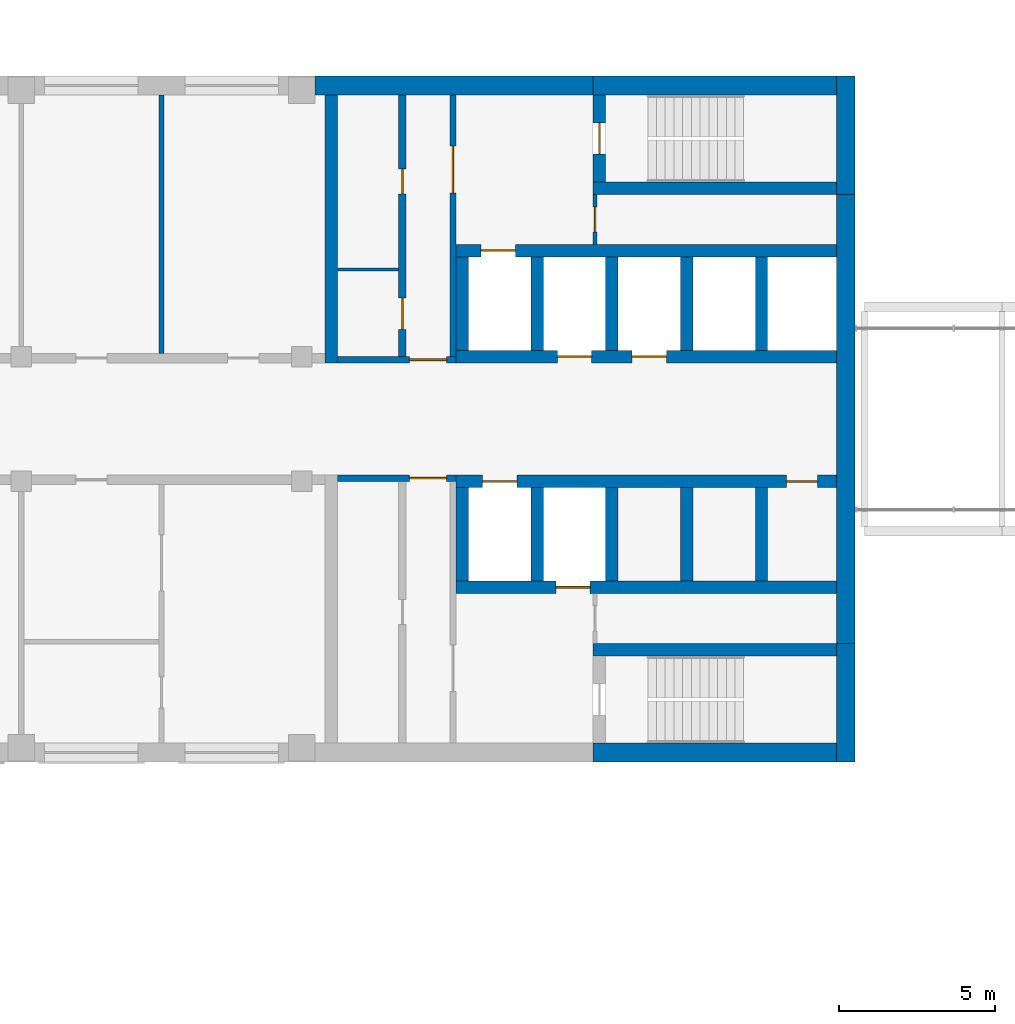
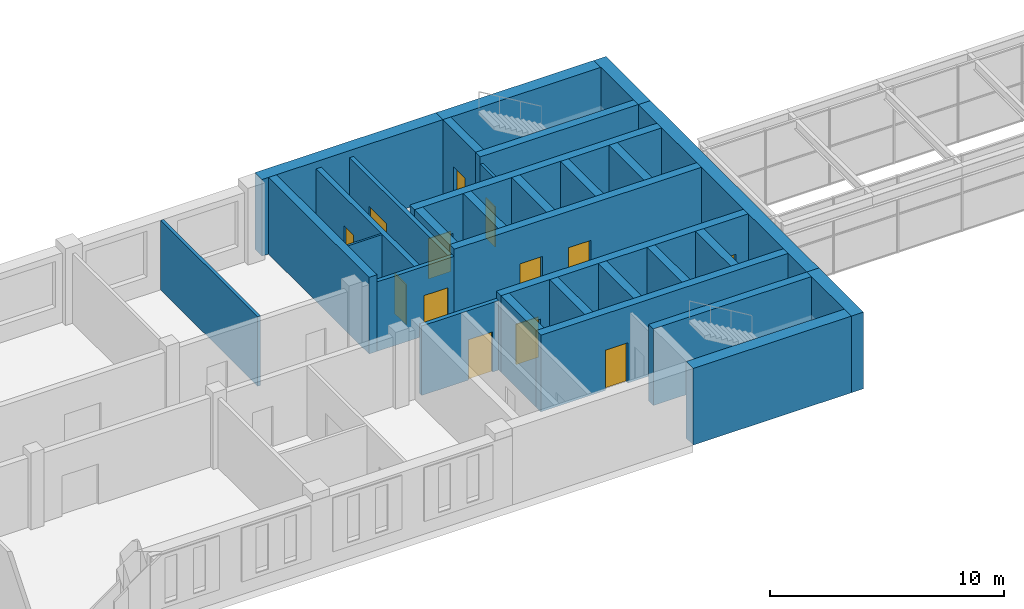
# One storey, part 8 of 12: 31 walls, 13 doors, 13 openings.
"""IFC4 building model written with IfcOpenShell, lengths in metres."""

from ifc_helpers import new_model, si_unit, direction, frame, frame_2d, origin, place, context, subcontext, project, spatial, rectangle, extrude, material, layer, layer_set, type_object, element, fill, save


model = new_model("IFC4")

# Units and contexts
model_context = context("Model", 3, precision=1e-05, world=origin(), true_north=direction((0.0, 1.0)))
body_context = subcontext(model_context, "Body", "Model", "MODEL_VIEW")
ifc_project = project(units=[si_unit("LENGTHUNIT", "METRE"), si_unit("AREAUNIT", "SQUARE_METRE"), si_unit("VOLUMEUNIT", "CUBIC_METRE"), si_unit("PLANEANGLEUNIT", "RADIAN"), si_unit("MASSUNIT", "GRAM", prefix="KILO")], contexts=[model_context])

# Site, building, storey
site_placement = place(None, origin())
site = spatial("IfcSite", under=ifc_project, at=site_placement, CompositionType="ELEMENT")
building_placement = place(site_placement, origin())
building = spatial("IfcBuilding", under=site, at=building_placement, Name="Skarvind Civic Tower", CompositionType="ELEMENT")
storey_placement = place(building_placement, frame((0.0, 0.0, 117.0)))
storey = spatial("IfcBuildingStorey", under=building, at=storey_placement, Name="L27", CompositionType="ELEMENT", Elevation=117.0)

# Wall, opening, door
ifc_material_1 = material(Name="Fire-rated masonry partition", Category="masonry")
ifc_layer_1 = layer(ifc_material_1, 0.199951171875)
ifc_layer_set_1 = layer_set([ifc_layer_1], Name="Core enclosure wall 200")
wall_type_1 = type_object("IfcWallType", Name="Core enclosure wall 200", PredefinedType="PARTITIONING", material=ifc_layer_set_1)
wall_1_placement = place(storey_placement, frame((95.199951171875, 126.10009765625, 0.0), z_axis=(0.0, 0.0, 1.0), x_axis=(-1.0, 0.0, 0.0)))
wall_1 = element("IfcWall", 1, at=wall_1_placement, inside=storey, type_object=wall_type_1, Name="Core wall C1", PredefinedType="PARTITIONING", context=body_context, shape_type="SweptSolid", body=[
    extrude(rectangle(XDim=3.800048828125, YDim=0.199951171875, at=frame_2d((1.89990234375, 0.0))), origin(), (0.0, 0.0, 1.0), 3.625),
])
opening_1_placement = place(wall_1_placement, frame((0.300048828125, 0.0, 0.0)))
opening_1 = element("IfcOpeningElement", 2, at=opening_1_placement, cuts=wall_1, Name="Opening D-L27-C1-05", PredefinedType="OPENING", context=body_context, shape_type="SweptSolid", body=[
    extrude(rectangle(XDim=1.199951171875, YDim=2.10009765625, at=frame_2d((0.60009765625, 1.050048828125))), frame((0.0, 0.10986328125, 0.0), z_axis=(0.0, -1.0, 0.0), x_axis=(1.0, 0.0, 0.0)), (0.0, 0.0, 1.0), 0.219970703125),
])
ifc_material_2 = material(Name="Fire-rated steel door", Category="steel")
door_type_1 = type_object("IfcDoorType", Name="Core lobby door 1200", OperationType="NOTDEFINED", PredefinedType="DOOR", material=ifc_material_2)
door_1_placement = place(opening_1_placement, origin())
door_1 = element("IfcDoor", 3, at=door_1_placement, inside=storey, type_object=door_type_1, Name="Fire door", OperationType="DOUBLE_DOOR_SINGLE_SWING", OverallHeight=2.10009765625, OverallWidth=1.199951171875, PredefinedType="DOOR", context=body_context, shape_type="SweptSolid", body=[
    extrude(rectangle(XDim=1.199951171875, YDim=2.10009765625, at=frame_2d((0.60009765625, 1.050048828125))), frame((0.0, 0.02490234375, 0.0), z_axis=(0.0, -1.0, 0.0), x_axis=(1.0, 0.0, 0.0)), (0.0, 0.0, 1.0), 0.050048828125),
])
fill(opening_1, door_1)

wall_2_placement = place(storey_placement, frame((91.39990234375, 129.89990234375, 0.0), z_axis=(0.0, 0.0, 1.0), x_axis=(1.0, 0.0, 0.0)))
wall_2 = element("IfcWall", 4, at=wall_2_placement, inside=storey, type_object=wall_type_1, Name="Core wall C1", PredefinedType="PARTITIONING", context=body_context, shape_type="SweptSolid", body=[
    extrude(rectangle(XDim=3.800048828125, YDim=0.199951171875, at=frame_2d((1.89990234375, 0.0))), origin(), (0.0, 0.0, 1.0), 3.625),
])
opening_2_placement = place(wall_2_placement, frame((2.300048828125, 0.0, 0.0)))
opening_2 = element("IfcOpeningElement", 5, at=opening_2_placement, cuts=wall_2, Name="Opening D-L27-C1-10", PredefinedType="OPENING", context=body_context, shape_type="SweptSolid", body=[
    extrude(rectangle(XDim=1.199951171875, YDim=2.10009765625, at=frame_2d((0.60009765625, 1.050048828125))), frame((0.0, 0.10986328125, 0.0), z_axis=(0.0, -1.0, 0.0), x_axis=(1.0, 0.0, 0.0)), (0.0, 0.0, 1.0), 0.219970703125),
])
door_2_placement = place(opening_2_placement, origin())
door_2 = element("IfcDoor", 6, at=door_2_placement, inside=storey, type_object=door_type_1, Name="Fire door", OperationType="DOUBLE_DOOR_SINGLE_SWING", OverallHeight=2.10009765625, OverallWidth=1.199951171875, PredefinedType="DOOR", context=body_context, shape_type="SweptSolid", body=[
    extrude(rectangle(XDim=1.199951171875, YDim=2.10009765625, at=frame_2d((0.60009765625, 1.050048828125))), frame((0.0, 0.02490234375, 0.0), z_axis=(0.0, -1.0, 0.0), x_axis=(1.0, 0.0, 0.0)), (0.0, 0.0, 1.0), 0.050048828125),
])
fill(opening_2, door_2)

wall_3_placement = place(storey_placement, frame((95.10009765625, 130.0, 0.0), z_axis=(0.0, 0.0, 1.0), x_axis=(0.0, 1.0, 0.0)))
wall_3 = element("IfcWall", 7, at=wall_3_placement, inside=storey, type_object=wall_type_1, Name="Core wall C1", PredefinedType="PARTITIONING", context=body_context, shape_type="SweptSolid", body=[
    extrude(rectangle(XDim=8.39990234375, YDim=0.199951171875, at=frame_2d((4.199951171875, 0.0))), origin(), (0.0, 0.0, 1.0), 3.625),
])
opening_3_placement = place(wall_3_placement, frame((5.25, 0.0, 0.0)))
opening_3 = element("IfcOpeningElement", 8, at=opening_3_placement, cuts=wall_3, Name="Opening D-L27-C1-11", PredefinedType="OPENING", context=body_context, shape_type="SweptSolid", body=[
    extrude(rectangle(XDim=1.5, YDim=2.10009765625, at=frame_2d((0.75, 1.050048828125))), frame((0.0, 0.10986328125, 0.0), z_axis=(0.0, -1.0, 0.0), x_axis=(1.0, 0.0, 0.0)), (0.0, 0.0, 1.0), 0.219970703125),
])
door_type_2 = type_object("IfcDoorType", Name="Fire door 1500", OperationType="NOTDEFINED", PredefinedType="DOOR", material=ifc_material_2)
door_3_placement = place(opening_3_placement, origin())
door_3 = element("IfcDoor", 9, at=door_3_placement, inside=storey, type_object=door_type_2, Name="Fire door", OperationType="DOUBLE_DOOR_SINGLE_SWING", OverallHeight=2.10009765625, OverallWidth=1.5, PredefinedType="DOOR", context=body_context, shape_type="SweptSolid", body=[
    extrude(rectangle(XDim=1.5, YDim=2.10009765625, at=frame_2d((0.75, 1.050048828125))), frame((0.0, 0.02490234375, 0.0), z_axis=(0.0, -1.0, 0.0), x_axis=(1.0, 0.0, 0.0)), (0.0, 0.0, 1.0), 0.050048828125),
])
fill(opening_3, door_3)

# Walls
ifc_material_3 = material(Name="Fire-rated plasterboard partition")
ifc_layer_2 = layer(ifc_material_3, 0.10009765625)
ifc_layer_set_2 = layer_set([ifc_layer_2], Name="Core partition wall 100")
wall_type_2 = type_object("IfcWallType", Name="Core partition wall 100", PredefinedType="PARTITIONING", material=ifc_layer_set_2)
wall_4_placement = place(storey_placement, frame((91.39990234375, 132.800048828125, 0.0), z_axis=(0.0, 0.0, 1.0), x_axis=(1.0, 0.0, 0.0)))
element("IfcWall", 10, at=wall_4_placement, inside=storey, type_object=wall_type_2, Name="Core wall C1", PredefinedType="PARTITIONING", context=body_context, shape_type="SweptSolid", body=[
    extrude(rectangle(XDim=1.9501953125, YDim=0.10009765625, at=frame_2d((0.97509765625, 0.0))), origin(), (0.0, 0.0, 1.0), 3.625),
])
ifc_material_4 = material(Name="Concrete C80", Category="concrete")
ifc_layer_3 = layer(ifc_material_4, 0.39990234375)
ifc_layer_set_3 = layer_set([ifc_layer_3], Name="Core wall 400 C80")
wall_type_3 = type_object("IfcWallType", Name="Core wall 400 C80", PredefinedType="SHEAR", material=ifc_layer_set_3)
wall_5_placement = place(storey_placement, frame((107.39990234375, 135.39990234375, 0.0), z_axis=(0.0, 0.0, 1.0), x_axis=(-1.0, 0.0, 0.0)))
element("IfcWall", 11, at=wall_5_placement, inside=storey, type_object=wall_type_3, Name="Core wall C1 south stair inner L27", PredefinedType="SHEAR", context=body_context, shape_type="SweptSolid", body=[
    extrude(rectangle(XDim=7.7998046875, YDim=0.39990234375, at=frame_2d((3.89990234375, 0.0))), origin(), (0.0, 0.0, 1.0), 4.0),
])

# Wall, opening, door
wall_6_placement = place(storey_placement, frame((99.800048828125, 138.39990234375, 0.0), z_axis=(0.0, 0.0, 1.0), x_axis=(0.0, -1.0, 0.0)))
wall_6 = element("IfcWall", 12, at=wall_6_placement, inside=storey, type_object=wall_type_3, Name="Core wall C1 south stair end L27", PredefinedType="SHEAR", context=body_context, shape_type="SweptSolid", body=[
    extrude(rectangle(XDim=2.7998046875, YDim=0.39990234375, at=frame_2d((1.39990234375, 0.0))), origin(), (0.0, 0.0, 1.0), 4.0),
])
opening_4_placement = place(wall_6_placement, frame((0.89990234375, 0.0, 0.0)))
opening_4 = element("IfcOpeningElement", 13, at=opening_4_placement, cuts=wall_6, Name="Opening D-L27-C1-12", PredefinedType="OPENING", context=body_context, shape_type="SweptSolid", body=[
    extrude(rectangle(XDim=1.0, YDim=2.10009765625, at=frame_2d((0.5, 1.050048828125))), frame((0.0, 0.2099609375, 0.0), z_axis=(0.0, -1.0, 0.0), x_axis=(1.0, 0.0, 0.0)), (0.0, 0.0, 1.0), 0.419921875),
])
door_type_3 = type_object("IfcDoorType", Name="Fire door 1000", OperationType="NOTDEFINED", PredefinedType="DOOR", material=ifc_material_2)
door_4_placement = place(opening_4_placement, origin())
door_4 = element("IfcDoor", 14, at=door_4_placement, inside=storey, type_object=door_type_3, Name="Fire door", OperationType="SINGLE_SWING_RIGHT", OverallHeight=2.10009765625, OverallWidth=1.0, PredefinedType="DOOR", context=body_context, shape_type="SweptSolid", body=[
    extrude(rectangle(XDim=1.0, YDim=2.10009765625, at=frame_2d((0.5, 1.050048828125))), frame((0.0, 0.02490234375, 0.0), z_axis=(0.0, -1.0, 0.0), x_axis=(1.0, 0.0, 0.0)), (0.0, 0.0, 1.0), 0.050048828125),
])
fill(opening_4, door_4)

# Wall
wall_7_placement = place(storey_placement, frame((107.39990234375, 120.60009765625, 0.0), z_axis=(0.0, 0.0, 1.0), x_axis=(-1.0, 0.0, 0.0)))
element("IfcWall", 15, at=wall_7_placement, inside=storey, type_object=wall_type_3, Name="Core wall C1 north stair inner L27", PredefinedType="SHEAR", context=body_context, shape_type="SweptSolid", body=[
    extrude(rectangle(XDim=7.7998046875, YDim=0.39990234375, at=frame_2d((3.89990234375, 0.0))), origin(), (0.0, 0.0, 1.0), 4.0),
])

# Wall, openings, doors
wall_8_placement = place(storey_placement, frame((107.39990234375, 130.0, 0.0), z_axis=(0.0, 0.0, 1.0), x_axis=(-1.0, 0.0, 0.0)))
wall_8 = element("IfcWall", 16, at=wall_8_placement, inside=storey, type_object=wall_type_3, Name="Core wall C1 south lift row front L27", PredefinedType="SHEAR", context=body_context, shape_type="SweptSolid", body=[
    extrude(rectangle(XDim=12.199951171875, YDim=0.39990234375, at=frame_2d((6.10009765625, 0.0))), origin(), (0.0, 0.0, 1.0), 4.0),
])
opening_5_placement = place(wall_8_placement, frame((5.449951171875, 0.0, 0.0)))
opening_5 = element("IfcOpeningElement", 17, at=opening_5_placement, cuts=wall_8, Name="Opening LD29108", PredefinedType="OPENING", context=body_context, shape_type="SweptSolid", body=[
    extrude(rectangle(XDim=1.10009765625, YDim=2.10009765625, at=frame_2d((0.550048828125, 1.050048828125))), frame((0.0, 0.2099609375, 0.0), z_axis=(0.0, -1.0, 0.0), x_axis=(1.0, 0.0, 0.0)), (0.0, 0.0, 1.0), 0.419921875),
])
opening_6_placement = place(wall_8_placement, frame((7.85009765625, 0.0, 0.0)))
opening_6 = element("IfcOpeningElement", 18, at=opening_6_placement, cuts=wall_8, Name="Opening LD29109", PredefinedType="OPENING", context=body_context, shape_type="SweptSolid", body=[
    extrude(rectangle(XDim=1.10009765625, YDim=2.10009765625, at=frame_2d((0.550048828125, 1.050048828125))), frame((0.0, 0.2099609375, 0.0), z_axis=(0.0, -1.0, 0.0), x_axis=(1.0, 0.0, 0.0)), (0.0, 0.0, 1.0), 0.419921875),
])
ifc_material_5 = material(Name="Stainless steel landing door", Category="steel")
door_type_4 = type_object("IfcDoorType", Name="Lift landing door 1100", OperationType="DOUBLE_DOOR_SLIDING", PredefinedType="DOOR", material=ifc_material_5)
door_5_placement = place(opening_5_placement, origin())
door_5 = element("IfcDoor", 19, at=door_5_placement, inside=storey, type_object=door_type_4, Name="Lift landing door", OperationType="DOUBLE_DOOR_SLIDING", OverallHeight=2.10009765625, OverallWidth=1.10009765625, PredefinedType="DOOR", context=body_context, shape_type="SweptSolid", body=[
    extrude(rectangle(XDim=1.10009765625, YDim=2.10009765625, at=frame_2d((0.550048828125, 1.050048828125))), frame((0.0, 0.02490234375, 0.0), z_axis=(0.0, -1.0, 0.0), x_axis=(1.0, 0.0, 0.0)), (0.0, 0.0, 1.0), 0.050048828125),
])
fill(opening_5, door_5)
door_6_placement = place(opening_6_placement, origin())
door_6 = element("IfcDoor", 20, at=door_6_placement, inside=storey, type_object=door_type_4, Name="Lift landing door", OperationType="DOUBLE_DOOR_SLIDING", OverallHeight=2.10009765625, OverallWidth=1.10009765625, PredefinedType="DOOR", context=body_context, shape_type="SweptSolid", body=[
    extrude(rectangle(XDim=1.10009765625, YDim=2.10009765625, at=frame_2d((0.550048828125, 1.050048828125))), frame((0.0, 0.02490234375, 0.0), z_axis=(0.0, -1.0, 0.0), x_axis=(1.0, 0.0, 0.0)), (0.0, 0.0, 1.0), 0.050048828125),
])
fill(opening_6, door_6)

# Wall, opening, door
wall_9_placement = place(storey_placement, frame((107.39990234375, 133.39990234375, 0.0), z_axis=(0.0, 0.0, 1.0), x_axis=(-1.0, 0.0, 0.0)))
wall_9 = element("IfcWall", 21, at=wall_9_placement, inside=storey, type_object=wall_type_3, Name="Core wall C1 south lift row back L27", PredefinedType="SHEAR", context=body_context, shape_type="SweptSolid", body=[
    extrude(rectangle(XDim=12.199951171875, YDim=0.39990234375, at=frame_2d((6.10009765625, 0.0))), origin(), (0.0, 0.0, 1.0), 4.0),
])
opening_7_placement = place(wall_9_placement, frame((10.300048828125, 0.0, 0.0)))
opening_7 = element("IfcOpeningElement", 22, at=opening_7_placement, cuts=wall_9, Name="Opening LD29110", PredefinedType="OPENING", context=body_context, shape_type="SweptSolid", body=[
    extrude(rectangle(XDim=1.10009765625, YDim=2.10009765625, at=frame_2d((0.550048828125, 1.050048828125))), frame((0.0, 0.2099609375, 0.0), z_axis=(0.0, -1.0, 0.0), x_axis=(1.0, 0.0, 0.0)), (0.0, 0.0, 1.0), 0.419921875),
])
door_7_placement = place(opening_7_placement, origin())
door_7 = element("IfcDoor", 23, at=door_7_placement, inside=storey, type_object=door_type_4, Name="Lift landing door", OperationType="DOUBLE_DOOR_SLIDING", OverallHeight=2.10009765625, OverallWidth=1.10009765625, PredefinedType="DOOR", context=body_context, shape_type="SweptSolid", body=[
    extrude(rectangle(XDim=1.10009765625, YDim=2.10009765625, at=frame_2d((0.550048828125, 1.050048828125))), frame((0.0, 0.02490234375, 0.0), z_axis=(0.0, -1.0, 0.0), x_axis=(1.0, 0.0, 0.0)), (0.0, 0.0, 1.0), 0.050048828125),
])
fill(opening_7, door_7)

# Walls
for number, where, z_axis, x_axis, name in (
    (24, (105.0, 133.199951171875, 0.0), (0.0, 0.0, 1.0), (0.0, -1.0, 0.0), "Core wall C1 south lift row division 1 L27"),
    (25, (102.60009765625, 133.199951171875, 0.0), (0.0, 0.0, 1.0), (0.0, -1.0, 0.0), "Core wall C1 south lift row division 2 L27"),
    (26, (100.199951171875, 133.199951171875, 0.0), (0.0, 0.0, 1.0), (0.0, -1.0, 0.0), "Core wall C1 south lift row division 3 L27"),
    (27, (97.800048828125, 133.199951171875, 0.0), (0.0, 0.0, 1.0), (0.0, -1.0, 0.0), "Core wall C1 south lift row division 4 L27"),
    (28, (95.39990234375, 133.199951171875, 0.0), (0.0, 0.0, 1.0), (0.0, -1.0, 0.0), "Core wall C1 south lift row division 5 L27"),
):
    element("IfcWall", number, at=place(storey_placement, frame(where, z_axis=z_axis, x_axis=x_axis)), inside=storey, type_object=wall_type_3, Name=name, PredefinedType="SHEAR", context=body_context, shape_type="SweptSolid", body=[
        extrude(rectangle(XDim=3.0, YDim=0.39990234375, at=frame_2d((1.5, 0.0))), origin(), (0.0, 0.0, 1.0), 4.0),
    ])

# Wall, openings, doors
wall_10_placement = place(storey_placement, frame((107.39990234375, 126.0, 0.0), z_axis=(0.0, 0.0, 1.0), x_axis=(-1.0, 0.0, 0.0)))
wall_10 = element("IfcWall", 29, at=wall_10_placement, inside=storey, type_object=wall_type_3, Name="Core wall C1 north lift row front L27", PredefinedType="SHEAR", context=body_context, shape_type="SweptSolid", body=[
    extrude(rectangle(XDim=12.199951171875, YDim=0.39990234375, at=frame_2d((6.10009765625, 0.0))), origin(), (0.0, 0.0, 1.0), 4.0),
])
opening_8_placement = place(wall_10_placement, frame((10.25, 0.0, 0.0)))
opening_8 = element("IfcOpeningElement", 30, at=opening_8_placement, cuts=wall_10, Name="Opening LD29105", PredefinedType="OPENING", context=body_context, shape_type="SweptSolid", body=[
    extrude(rectangle(XDim=1.10009765625, YDim=2.10009765625, at=frame_2d((0.550048828125, 1.050048828125))), frame((0.0, 0.2099609375, 0.0), z_axis=(0.0, -1.0, 0.0), x_axis=(1.0, 0.0, 0.0)), (0.0, 0.0, 1.0), 0.419921875),
])
opening_9_placement = place(wall_10_placement, frame((0.60009765625, 0.0, 0.0)))
opening_9 = element("IfcOpeningElement", 31, at=opening_9_placement, cuts=wall_10, Name="Opening D-L27-C1-04", PredefinedType="OPENING", context=body_context, shape_type="SweptSolid", body=[
    extrude(rectangle(XDim=1.0, YDim=2.10009765625, at=frame_2d((0.5, 1.050048828125))), frame((0.0, 0.2099609375, 0.0), z_axis=(0.0, -1.0, 0.0), x_axis=(1.0, 0.0, 0.0)), (0.0, 0.0, 1.0), 0.419921875),
])
door_8_placement = place(opening_9_placement, origin())
door_8 = element("IfcDoor", 32, at=door_8_placement, inside=storey, type_object=door_type_3, Name="Fire door", OperationType="SINGLE_SWING_LEFT", OverallHeight=2.10009765625, OverallWidth=1.0, PredefinedType="DOOR", context=body_context, shape_type="SweptSolid", body=[
    extrude(rectangle(XDim=1.0, YDim=2.10009765625, at=frame_2d((0.5, 1.050048828125))), frame((0.0, 0.02490234375, 0.0), z_axis=(0.0, -1.0, 0.0), x_axis=(1.0, 0.0, 0.0)), (0.0, 0.0, 1.0), 0.050048828125),
])
fill(opening_9, door_8)
door_9_placement = place(opening_8_placement, origin())
door_9 = element("IfcDoor", 33, at=door_9_placement, inside=storey, type_object=door_type_4, Name="Lift landing door", OperationType="DOUBLE_DOOR_SLIDING", OverallHeight=2.10009765625, OverallWidth=1.10009765625, PredefinedType="DOOR", context=body_context, shape_type="SweptSolid", body=[
    extrude(rectangle(XDim=1.10009765625, YDim=2.10009765625, at=frame_2d((0.550048828125, 1.050048828125))), frame((0.0, 0.02490234375, 0.0), z_axis=(0.0, -1.0, 0.0), x_axis=(1.0, 0.0, 0.0)), (0.0, 0.0, 1.0), 0.050048828125),
])
fill(opening_8, door_9)

# Wall, opening, door
wall_11_placement = place(storey_placement, frame((107.39990234375, 122.60009765625, 0.0), z_axis=(0.0, 0.0, 1.0), x_axis=(-1.0, 0.0, 0.0)))
wall_11 = element("IfcWall", 34, at=wall_11_placement, inside=storey, type_object=wall_type_3, Name="Core wall C1 north lift row back L27", PredefinedType="SHEAR", context=body_context, shape_type="SweptSolid", body=[
    extrude(rectangle(XDim=12.199951171875, YDim=0.39990234375, at=frame_2d((6.10009765625, 0.0))), origin(), (0.0, 0.0, 1.0), 4.0),
])
opening_10_placement = place(wall_11_placement, frame((7.89990234375, 0.0, 0.0)))
opening_10 = element("IfcOpeningElement", 35, at=opening_10_placement, cuts=wall_11, Name="Opening LD29104", PredefinedType="OPENING", context=body_context, shape_type="SweptSolid", body=[
    extrude(rectangle(XDim=1.10009765625, YDim=2.10009765625, at=frame_2d((0.550048828125, 1.050048828125))), frame((0.0, 0.2099609375, 0.0), z_axis=(0.0, -1.0, 0.0), x_axis=(1.0, 0.0, 0.0)), (0.0, 0.0, 1.0), 0.419921875),
])
door_10_placement = place(opening_10_placement, origin())
door_10 = element("IfcDoor", 36, at=door_10_placement, inside=storey, type_object=door_type_4, Name="Lift landing door", OperationType="DOUBLE_DOOR_SLIDING", OverallHeight=2.10009765625, OverallWidth=1.10009765625, PredefinedType="DOOR", context=body_context, shape_type="SweptSolid", body=[
    extrude(rectangle(XDim=1.10009765625, YDim=2.10009765625, at=frame_2d((0.550048828125, 1.050048828125))), frame((0.0, 0.02490234375, 0.0), z_axis=(0.0, -1.0, 0.0), x_axis=(1.0, 0.0, 0.0)), (0.0, 0.0, 1.0), 0.050048828125),
])
fill(opening_10, door_10)

# Walls
for number, where, z_axis, x_axis, name in (
    (37, (105.0, 125.800048828125, 0.0), (0.0, 0.0, 1.0), (0.0, -1.0, 0.0), "Core wall C1 north lift row division 1 L27"),
    (38, (102.60009765625, 125.800048828125, 0.0), (0.0, 0.0, 1.0), (0.0, -1.0, 0.0), "Core wall C1 north lift row division 2 L27"),
    (39, (100.199951171875, 125.800048828125, 0.0), (0.0, 0.0, 1.0), (0.0, -1.0, 0.0), "Core wall C1 north lift row division 3 L27"),
    (40, (97.800048828125, 125.800048828125, 0.0), (0.0, 0.0, 1.0), (0.0, -1.0, 0.0), "Core wall C1 north lift row division 4 L27"),
    (41, (95.39990234375, 125.800048828125, 0.0), (0.0, 0.0, 1.0), (0.0, -1.0, 0.0), "Core wall C1 north lift row division 5 L27"),
):
    element("IfcWall", number, at=place(storey_placement, frame(where, z_axis=z_axis, x_axis=x_axis)), inside=storey, type_object=wall_type_3, Name=name, PredefinedType="SHEAR", context=body_context, shape_type="SweptSolid", body=[
        extrude(rectangle(XDim=3.0, YDim=0.39990234375, at=frame_2d((1.5, 0.0))), origin(), (0.0, 0.0, 1.0), 4.0),
    ])
wall_12_placement = place(storey_placement, frame((91.199951171875, 138.39990234375, 0.0), z_axis=(0.0, 0.0, 1.0), x_axis=(0.0, -1.0, 0.0)))
element("IfcWall", 42, at=wall_12_placement, inside=storey, type_object=wall_type_3, Name="Core wall C1 south inner face L27", PredefinedType="SHEAR", context=body_context, shape_type="SweptSolid", body=[
    extrude(rectangle(XDim=8.599853515625, YDim=0.39990234375, at=frame_2d((4.2998046875, 0.0))), origin(), (0.0, 0.0, 1.0), 4.0),
])
ifc_layer_4 = layer(ifc_material_4, 0.60009765625)
ifc_layer_set_4 = layer_set([ifc_layer_4], Name="Core wall 600 C80")
wall_type_4 = type_object("IfcWallType", Name="Core wall 600 C80", PredefinedType="SHEAR", material=ifc_layer_set_4)
wall_13_placement = place(storey_placement, frame((107.699951171875, 139.0, 0.0), z_axis=(0.0, 0.0, 1.0), x_axis=(0.0, -1.0, 0.0)))
element("IfcWall", 43, at=wall_13_placement, inside=storey, type_object=wall_type_4, Name="Core wall C1 tip at the south stair L27", PredefinedType="SHEAR", context=body_context, shape_type="SweptSolid", body=[
    extrude(rectangle(XDim=3.800048828125, YDim=0.60009765625, at=frame_2d((1.89990234375, 0.0))), origin(), (0.0, 0.0, 1.0), 4.0),
])
wall_14_placement = place(storey_placement, frame((107.699951171875, 135.199951171875, 0.0), z_axis=(0.0, 0.0, 1.0), x_axis=(0.0, -1.0, 0.0)))
element("IfcWall", 44, at=wall_14_placement, inside=storey, type_object=wall_type_4, Name="Core wall C1 tip between the stairs L27", PredefinedType="SHEAR", context=body_context, shape_type="SweptSolid", body=[
    extrude(rectangle(XDim=14.39990234375, YDim=0.60009765625, at=frame_2d((7.199951171875, 0.0))), origin(), (0.0, 0.0, 1.0), 4.0),
])
wall_15_placement = place(storey_placement, frame((107.699951171875, 120.800048828125, 0.0), z_axis=(0.0, 0.0, 1.0), x_axis=(0.0, -1.0, 0.0)))
element("IfcWall", 45, at=wall_15_placement, inside=storey, type_object=wall_type_4, Name="Core wall C1 tip at the north stair L27", PredefinedType="SHEAR", context=body_context, shape_type="SweptSolid", body=[
    extrude(rectangle(XDim=3.800048828125, YDim=0.60009765625, at=frame_2d((1.89990234375, 0.0))), origin(), (0.0, 0.0, 1.0), 4.0),
])
for number, where, z_axis, x_axis, name in (
    (46, (107.39990234375, 138.699951171875, 0.0), (0.0, 0.0, 1.0), (-1.0, 0.0, 0.0), "Core wall C1 south side at the stair L27"),
    (47, (107.39990234375, 117.300048828125, 0.0), (0.0, 0.0, 1.0), (-1.0, 0.0, 0.0), "Core wall C1 north side at the stair L27"),
):
    element("IfcWall", number, at=place(storey_placement, frame(where, z_axis=z_axis, x_axis=x_axis)), inside=storey, type_object=wall_type_4, Name=name, PredefinedType="SHEAR", context=body_context, shape_type="SweptSolid", body=[
        extrude(rectangle(XDim=7.7998046875, YDim=0.60009765625, at=frame_2d((3.89990234375, 0.0))), origin(), (0.0, 0.0, 1.0), 4.0),
    ])
wall_16_placement = place(storey_placement, frame((99.60009765625, 138.699951171875, 0.0), z_axis=(0.0, 0.0, 1.0), x_axis=(-1.0, 0.0, 0.0)))
element("IfcWall", 48, at=wall_16_placement, inside=storey, type_object=wall_type_4, Name="Core wall C1 south side L27", PredefinedType="SHEAR", context=body_context, shape_type="SweptSolid", body=[
    extrude(rectangle(XDim=8.925048828125, YDim=0.60009765625, at=frame_2d((4.46240234375, 0.0))), origin(), (0.0, 0.0, 1.0), 4.0),
])
ifc_material_6 = material(Name="Plasterboard partition on steel studs", Category="steel")
ifc_layer_5 = layer(ifc_material_6, 0.14990234375)
ifc_layer_set_5 = layer_set([ifc_layer_5], Name="PARTITION 150")
wall_type_5 = type_object("IfcWallType", Name="PARTITION 150", PredefinedType="PARTITIONING", material=ifc_layer_set_5)
wall_17_placement = place(storey_placement, frame((85.75, 130.10009765625, 0.0), z_axis=(0.0, 0.0, 1.0), x_axis=(0.0, 1.0, 0.0)))
element("IfcWall", 49, at=wall_17_placement, inside=storey, type_object=wall_type_5, Name="Partition 27.034", PredefinedType="PARTITIONING", context=body_context, shape_type="SweptSolid", body=[
    extrude(rectangle(XDim=8.2998046875, YDim=0.14990234375, at=frame_2d((4.14990234375, 0.0))), origin(), (0.0, 0.0, 1.0), 3.625),
])

# Wall, opening, door
ifc_layer_6 = layer(ifc_material_1, 0.125)
ifc_layer_set_6 = layer_set([ifc_layer_6], Name="Riser wall 125")
wall_type_6 = type_object("IfcWallType", Name="Riser wall 125", PredefinedType="PARTITIONING", material=ifc_layer_set_6)
wall_18_placement = place(storey_placement, frame((99.66259765625, 133.60009765625, 0.0), z_axis=(0.0, 0.0, 1.0), x_axis=(0.0, 1.0, 0.0)))
wall_18 = element("IfcWall", 50, at=wall_18_placement, inside=storey, type_object=wall_type_6, Name="Core wall C1", PredefinedType="PARTITIONING", context=body_context, shape_type="SweptSolid", body=[
    extrude(rectangle(XDim=1.599853515625, YDim=0.125, at=frame_2d((0.7998046875, 0.0))), origin(), (0.0, 0.0, 1.0), 3.625),
])
opening_11_placement = place(wall_18_placement, frame((0.39990234375, 0.0, 0.0)))
opening_11 = element("IfcOpeningElement", 51, at=opening_11_placement, cuts=wall_18, Name="Opening D-L27-C1-13", PredefinedType="OPENING", context=body_context, shape_type="SweptSolid", body=[
    extrude(rectangle(XDim=0.800048828125, YDim=2.10009765625, at=frame_2d((0.39990234375, 1.050048828125))), frame((0.0, 0.072509765625, 0.0), z_axis=(0.0, -1.0, 0.0), x_axis=(1.0, 0.0, 0.0)), (0.0, 0.0, 1.0), 0.14501953125),
])
door_type_5 = type_object("IfcDoorType", Name="Core riser door 800", OperationType="NOTDEFINED", PredefinedType="DOOR", material=ifc_material_2)
door_11_placement = place(opening_11_placement, origin())
door_11 = element("IfcDoor", 52, at=door_11_placement, inside=storey, type_object=door_type_5, Name="Riser door", OperationType="SINGLE_SWING_LEFT", OverallHeight=2.10009765625, OverallWidth=0.800048828125, PredefinedType="DOOR", context=body_context, shape_type="SweptSolid", body=[
    extrude(rectangle(XDim=0.800048828125, YDim=2.10009765625, at=frame_2d((0.39990234375, 1.050048828125))), frame((0.0, 0.02490234375, 0.0), z_axis=(0.0, -1.0, 0.0), x_axis=(1.0, 0.0, 0.0)), (0.0, 0.0, 1.0), 0.050048828125),
])
fill(opening_11, door_11)

# Wall, openings, doors
ifc_layer_7 = layer(ifc_material_1, 0.25)
ifc_layer_set_7 = layer_set([ifc_layer_7], Name="Service block wall 250")
wall_type_7 = type_object("IfcWallType", Name="Service block wall 250", PredefinedType="PARTITIONING", material=ifc_layer_set_7)
wall_19_placement = place(storey_placement, frame((93.47509765625, 130.0, 0.0), z_axis=(0.0, 0.0, 1.0), x_axis=(0.0, 1.0, 0.0)))
wall_19 = element("IfcWall", 53, at=wall_19_placement, inside=storey, type_object=wall_type_7, Name="Core wall C1", PredefinedType="PARTITIONING", context=body_context, shape_type="SweptSolid", body=[
    extrude(rectangle(XDim=8.39990234375, YDim=0.25, at=frame_2d((4.199951171875, 0.0))), origin(), (0.0, 0.0, 1.0), 3.625),
])
opening_12_placement = place(wall_19_placement, frame((0.875, 0.0, 0.0)))
opening_12 = element("IfcOpeningElement", 54, at=opening_12_placement, cuts=wall_19, Name="Opening D-L27-C1-14", PredefinedType="OPENING", context=body_context, shape_type="SweptSolid", body=[
    extrude(rectangle(XDim=1.0, YDim=2.10009765625, at=frame_2d((0.5, 1.050048828125))), frame((0.0, 0.135009765625, 0.0), z_axis=(0.0, -1.0, 0.0), x_axis=(1.0, 0.0, 0.0)), (0.0, 0.0, 1.0), 0.27001953125),
])
opening_13_placement = place(wall_19_placement, frame((5.22509765625, 0.0, 0.0)))
opening_13 = element("IfcOpeningElement", 55, at=opening_13_placement, cuts=wall_19, Name="Opening D-L27-C1-15", PredefinedType="OPENING", context=body_context, shape_type="SweptSolid", body=[
    extrude(rectangle(XDim=0.800048828125, YDim=2.10009765625, at=frame_2d((0.39990234375, 1.050048828125))), frame((0.0, 0.135009765625, 0.0), z_axis=(0.0, -1.0, 0.0), x_axis=(1.0, 0.0, 0.0)), (0.0, 0.0, 1.0), 0.27001953125),
])
door_12_placement = place(opening_13_placement, origin())
door_12 = element("IfcDoor", 56, at=door_12_placement, inside=storey, type_object=door_type_5, Name="Riser door", OperationType="SINGLE_SWING_LEFT", OverallHeight=2.10009765625, OverallWidth=0.800048828125, PredefinedType="DOOR", context=body_context, shape_type="SweptSolid", body=[
    extrude(rectangle(XDim=0.800048828125, YDim=2.10009765625, at=frame_2d((0.39990234375, 1.050048828125))), frame((0.0, 0.02490234375, 0.0), z_axis=(0.0, -1.0, 0.0), x_axis=(1.0, 0.0, 0.0)), (0.0, 0.0, 1.0), 0.050048828125),
])
fill(opening_13, door_12)
door_13_placement = place(opening_12_placement, origin())
door_13 = element("IfcDoor", 57, at=door_13_placement, inside=storey, type_object=door_type_3, Name="Fire door", OperationType="SINGLE_SWING_RIGHT", OverallHeight=2.10009765625, OverallWidth=1.0, PredefinedType="DOOR", context=body_context, shape_type="SweptSolid", body=[
    extrude(rectangle(XDim=1.0, YDim=2.10009765625, at=frame_2d((0.5, 1.050048828125))), frame((0.0, 0.02490234375, 0.0), z_axis=(0.0, -1.0, 0.0), x_axis=(1.0, 0.0, 0.0)), (0.0, 0.0, 1.0), 0.050048828125),
])
fill(opening_12, door_13)

save(model, "model.ifc")
